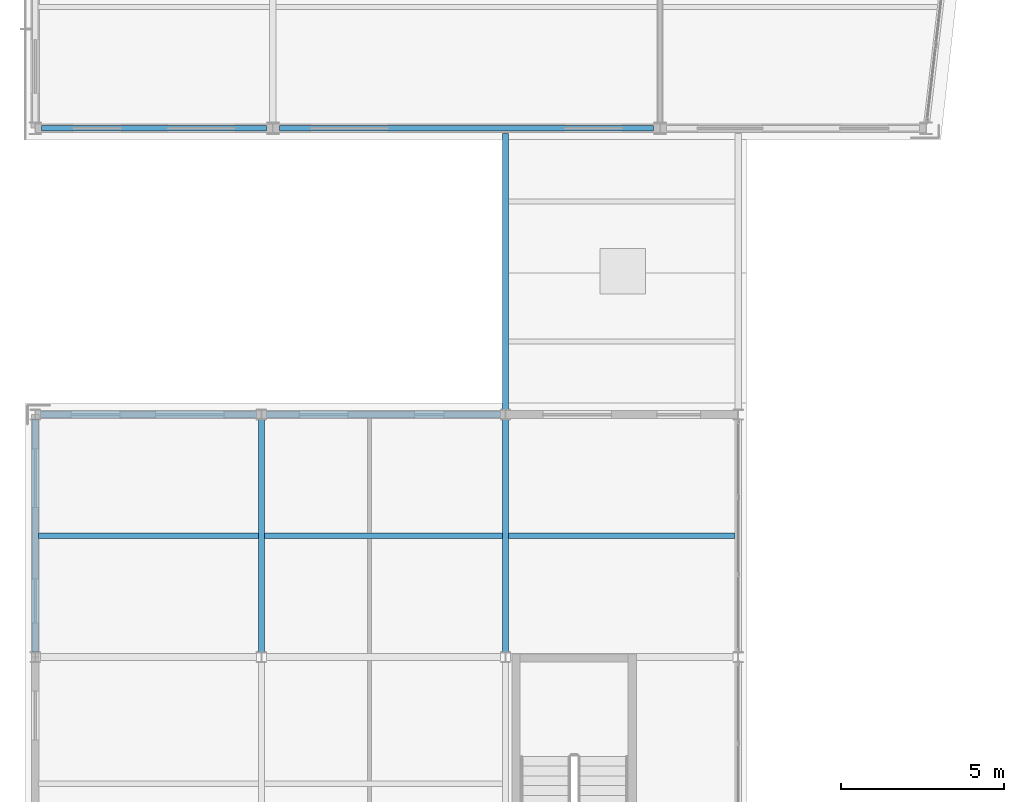
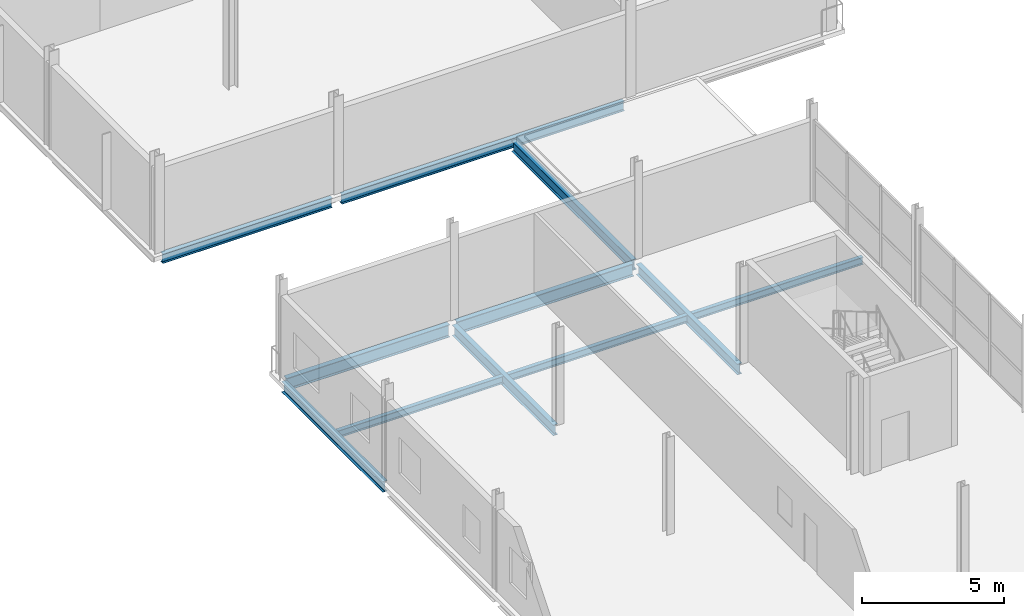
# One storey, part 12 of 65: 11 beams.
"""IFC4 building model written with IfcOpenShell, lengths in metres."""

from ifc_helpers import new_model, si_unit, direction, frame, origin, origin_2d, place, context, subcontext, project, spatial, i_section, extrude, material, material_profile, profile_set, type_object, element, save


model = new_model("IFC4")

# Units and contexts
model_context = context("Model", 3, precision=1e-05, world=origin(), true_north=direction((0.0, 1.0)))
body_context = subcontext(model_context, "Body", "Model", "MODEL_VIEW")
ifc_project = project(units=[si_unit("LENGTHUNIT", "METRE"), si_unit("AREAUNIT", "SQUARE_METRE"), si_unit("VOLUMEUNIT", "CUBIC_METRE"), si_unit("PLANEANGLEUNIT", "RADIAN"), si_unit("MASSUNIT", "GRAM", prefix="KILO")], contexts=[model_context])

# Site, building, storey
site_placement = place(None, origin())
site = spatial("IfcSite", under=ifc_project, at=site_placement, CompositionType="ELEMENT")
building_placement = place(site_placement, origin())
building = spatial("IfcBuilding", under=site, at=building_placement, Name="Quillay Park Conservatory", CompositionType="ELEMENT")
storey_placement = place(building_placement, frame((0.0, 0.0, 14.10009765625)))
storey = spatial("IfcBuildingStorey", under=building, at=storey_placement, Name="L03", CompositionType="ELEMENT", Elevation=14.10009765625)

# Beams
ifc_material_1 = material(Name="Steel ASTM A992 Grade 50", Category="steel")
ifc_material_profile_1 = material_profile(ifc_material_1, i_section(OverallWidth=0.166015625, OverallDepth=0.31298828125, WebThickness=0.006591796875, FlangeThickness=0.01123046875, FilletRadius=0.010009765625, at=origin_2d()), Name="W310x45")
ifc_profile_set_1 = profile_set([ifc_material_profile_1], Name="Steel ASTM A992 Grade 50")
beam_type_1 = type_object("IfcBeamType", Name="COMPOSITE FLOOR JOIST W310 X45", PredefinedType="JOIST", material=ifc_profile_set_1)
beam_1_placement = place(storey_placement, frame((0.64599609375, 50.52490234375, -0.341552734375), z_axis=(1.0, 0.0, 0.0), x_axis=(0.0, 1.0, 0.0)))
element("IfcBeam", 1, at=beam_1_placement, inside=storey, type_object=beam_type_1, Name="L03 beam BM-V3J-1468", PredefinedType="JOIST", context=body_context, shape_type="SweptSolid", body=[
    extrude(i_section(OverallWidth=0.166015625, OverallDepth=0.31298828125, WebThickness=0.006591796875, FlangeThickness=0.01123046875, FilletRadius=0.010009765625, at=origin_2d()), origin(), (0.0, 0.0, 1.0), 6.758056640625),
])
beam_2_placement = place(storey_placement, frame((7.595947265625, 50.52490234375, -0.341552734375), z_axis=(1.0, 0.0, 0.0), x_axis=(0.0, 1.0, 0.0)))
element("IfcBeam", 2, at=beam_2_placement, inside=storey, type_object=beam_type_1, Name="L03 beam BM-V3J-1469", PredefinedType="JOIST", context=body_context, shape_type="SweptSolid", body=[
    extrude(i_section(OverallWidth=0.166015625, OverallDepth=0.31298828125, WebThickness=0.006591796875, FlangeThickness=0.01123046875, FilletRadius=0.010009765625, at=origin_2d()), origin(), (0.0, 0.0, 1.0), 7.30810546875),
])
beam_3_placement = place(storey_placement, frame((15.095947265625, 50.52490234375, -0.341552734375), z_axis=(1.0, 0.0, 0.0), x_axis=(0.0, 1.0, 0.0)))
element("IfcBeam", 3, at=beam_3_placement, inside=storey, type_object=beam_type_1, Name="L03 beam BM-V3J-1470", PredefinedType="JOIST", context=body_context, shape_type="SweptSolid", body=[
    extrude(i_section(OverallWidth=0.166015625, OverallDepth=0.31298828125, WebThickness=0.006591796875, FlangeThickness=0.01123046875, FilletRadius=0.010009765625, at=origin_2d()), origin(), (0.0, 0.0, 1.0), 6.9580078125),
])
ifc_material_2 = material(Name="Steel ASTM A992 Grade 50", Category="steel")
ifc_material_profile_2 = material_profile(ifc_material_2, i_section(OverallWidth=0.179931640625, OverallDepth=0.4130859375, WebThickness=0.009765625, FlangeThickness=0.01611328125, FilletRadius=0.011962890625, at=origin_2d()), Name="W410x74")
ifc_profile_set_2 = profile_set([ifc_material_profile_2], Name="Steel ASTM A992 Grade 50")
beam_type_2 = type_object("IfcBeamType", Name="PERIMETER SPANDREL BEAM W410 X74", PredefinedType="SPANDREL", material=ifc_profile_set_2)
beam_4_placement = place(storey_placement, frame((0.74755859375, 63.050048828125, -0.3916015625), z_axis=(1.0, 0.0, 0.0), x_axis=(0.0, 1.0, 0.0)))
element("IfcBeam", 4, at=beam_4_placement, inside=storey, type_object=beam_type_2, Name="L03 beam BM-SP-0244", PredefinedType="SPANDREL", context=body_context, shape_type="SweptSolid", body=[
    extrude(i_section(OverallWidth=0.179931640625, OverallDepth=0.4130859375, WebThickness=0.009765625, FlangeThickness=0.01611328125, FilletRadius=0.011962890625, at=origin_2d()), origin(), (0.0, 0.0, 1.0), 6.905029296875),
])
beam_5_placement = place(storey_placement, frame((8.047607421875, 63.050048828125, -0.3916015625), z_axis=(1.0, 0.0, 0.0), x_axis=(0.0, 1.0, 0.0)))
element("IfcBeam", 5, at=beam_5_placement, inside=storey, type_object=beam_type_2, Name="L03 beam BM-SP-0245", PredefinedType="SPANDREL", context=body_context, shape_type="SweptSolid", body=[
    extrude(i_section(OverallWidth=0.179931640625, OverallDepth=0.4130859375, WebThickness=0.009765625, FlangeThickness=0.01611328125, FilletRadius=0.011962890625, at=origin_2d()), origin(), (0.0, 0.0, 1.0), 11.5048828125),
])
ifc_material_3 = material(Name="Steel ASTM A992 Grade 50", Category="steel")
ifc_material_profile_3 = material_profile(ifc_material_3, i_section(OverallWidth=0.19189453125, OverallDepth=0.462890625, WebThickness=0.010498046875, FlangeThickness=0.017578125, FilletRadius=0.012939453125, at=origin_2d()), Name="W460x89")
ifc_profile_set_3 = profile_set([ifc_material_profile_3], Name="Steel ASTM A992 Grade 50")
beam_type_3 = type_object("IfcBeamType", Name="PRIMARY FLOOR GIRDER W460 X89", PredefinedType="BEAM", material=ifc_profile_set_3)
for number, where, z_axis, x_axis, name in (
    (6, (0.550048828125, 46.95703125, -0.41650390625), (0.0, 1.0, 0.0), (-1.0, 0.0, 0.0), "L03 beam BM-V3Y-1429"),
    (7, (7.5, 46.95703125, -0.41650390625), (0.0, 1.0, 0.0), (-1.0, 0.0, 0.0), "L03 beam BM-V3Y-1436"),
    (8, (15.0, 46.95703125, -0.41650390625), (0.0, 1.0, 0.0), (-1.0, 0.0, 0.0), "L03 beam BM-V3Y-1443"),
):
    element("IfcBeam", number, at=place(storey_placement, frame(where, z_axis=z_axis, x_axis=x_axis)), inside=storey, type_object=beam_type_3, Name=name, PredefinedType="BEAM", context=body_context, shape_type="SweptSolid", body=[
        extrude(i_section(OverallWidth=0.19189453125, OverallDepth=0.462890625, WebThickness=0.010498046875, FlangeThickness=0.017578125, FilletRadius=0.012939453125, at=origin_2d()), origin(), (0.0, 0.0, 1.0), 7.135986328125),
    ])
beam_6_placement = place(storey_placement, frame((15.0, 54.405029296875, -0.446533203125), z_axis=(0.0, 1.0, 0.0), x_axis=(-1.0, 0.0, 0.0)))
element("IfcBeam", 9, at=beam_6_placement, inside=storey, type_object=beam_type_3, Name="L03 beam BM-LB1-1585", PredefinedType="BEAM", context=body_context, shape_type="SweptSolid", body=[
    extrude(i_section(OverallWidth=0.19189453125, OverallDepth=0.462890625, WebThickness=0.010498046875, FlangeThickness=0.017578125, FilletRadius=0.012939453125, at=origin_2d()), origin(), (0.0, 0.0, 1.0), 8.489990234375),
])
ifc_material_4 = material(Name="Steel ASTM A992 Grade 50", Category="steel")
ifc_material_profile_4 = material_profile(ifc_material_4, i_section(OverallWidth=0.2109375, OverallDepth=0.5390625, WebThickness=0.01171875, FlangeThickness=0.018798828125, FilletRadius=0.013916015625, at=origin_2d()), Name="W530x109")
ifc_profile_set_4 = profile_set([ifc_material_profile_4], Name="Steel ASTM A992 Grade 50")
beam_type_4 = type_object("IfcBeamType", Name="PRIMARY FLOOR GIRDER W530 X109", PredefinedType="BEAM", material=ifc_profile_set_4)
beam_7_placement = place(storey_placement, frame((0.70361328125, 54.25, -0.45458984375), z_axis=(1.0, 0.0, 0.0), x_axis=(0.0, 1.0, 0.0)))
element("IfcBeam", 10, at=beam_7_placement, inside=storey, type_object=beam_type_4, Name="L03 beam BM-V3X-1420", PredefinedType="BEAM", context=body_context, shape_type="SweptSolid", body=[
    extrude(i_section(OverallWidth=0.2109375, OverallDepth=0.5390625, WebThickness=0.01171875, FlangeThickness=0.018798828125, FilletRadius=0.013916015625, at=origin_2d()), origin(), (0.0, 0.0, 1.0), 6.642822265625),
])
beam_8_placement = place(storey_placement, frame((7.653564453125, 54.25, -0.45458984375), z_axis=(1.0, 0.0, 0.0), x_axis=(0.0, 1.0, 0.0)))
element("IfcBeam", 11, at=beam_8_placement, inside=storey, type_object=beam_type_4, Name="L03 beam BM-V3X-1421", PredefinedType="BEAM", context=body_context, shape_type="SweptSolid", body=[
    extrude(i_section(OverallWidth=0.2109375, OverallDepth=0.5390625, WebThickness=0.01171875, FlangeThickness=0.018798828125, FilletRadius=0.013916015625, at=origin_2d()), origin(), (0.0, 0.0, 1.0), 7.19287109375),
])

save(model, "model.ifc")
